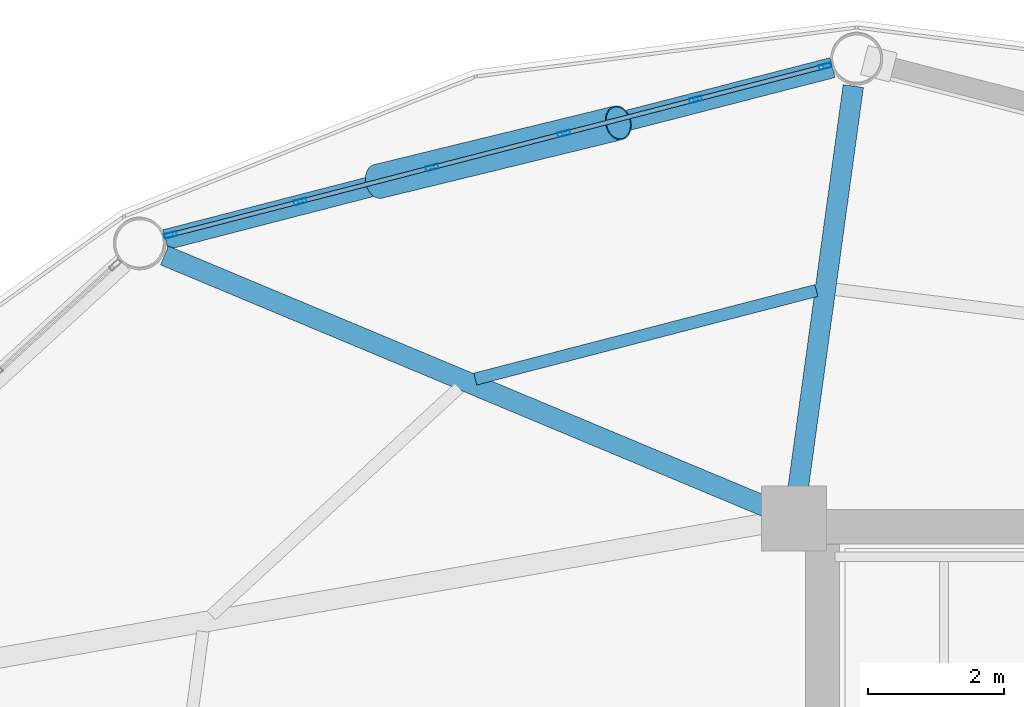
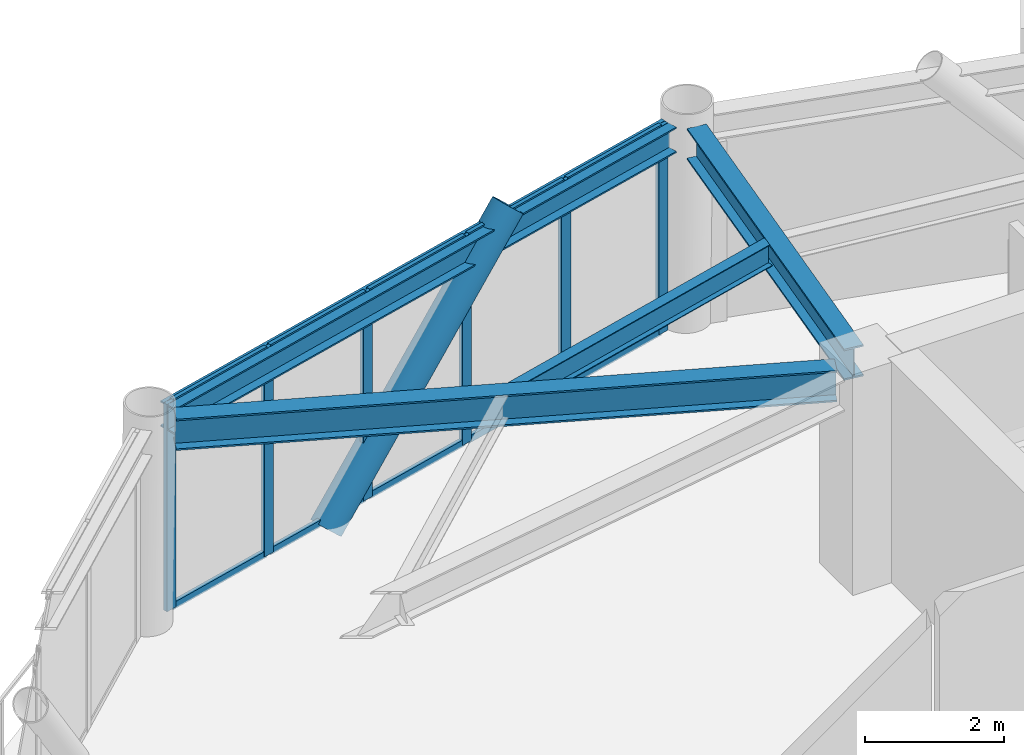
# One storey, part 16 of 25: 17 members, 4 beams, 1 element without a shape of its own.
"""IFC4 building model written with IfcOpenShell, lengths in metres."""

from ifc_helpers import new_model, si_unit, direction, frame, origin, origin_2d, place, context, subcontext, project, spatial, hollow_rectangle, hollow_circle, i_section, extrude, material, layer, layer_set, material_profile, profile_set, type_object, element, aggregate, save


model = new_model("IFC4")

# Units and contexts
model_context = context("Model", 3, precision=1e-05, world=origin(), true_north=direction((0.0, 1.0)))
body_context = subcontext(model_context, "Body", "Model", "MODEL_VIEW")
ifc_project = project(units=[si_unit("LENGTHUNIT", "METRE"), si_unit("AREAUNIT", "SQUARE_METRE"), si_unit("VOLUMEUNIT", "CUBIC_METRE"), si_unit("PLANEANGLEUNIT", "RADIAN"), si_unit("MASSUNIT", "GRAM", prefix="KILO")], contexts=[model_context])

# Site, building, storey
site_placement = place(None, origin())
site = spatial("IfcSite", under=ifc_project, at=site_placement, CompositionType="ELEMENT")
building_placement = place(site_placement, origin())
building = spatial("IfcBuilding", under=site, at=building_placement, Name="Varnakorn Sky Granary", CompositionType="ELEMENT")
storey_placement = place(building_placement, frame((0.0, 0.0, 126.60009765625)))
storey = spatial("IfcBuildingStorey", under=building, at=storey_placement, Name="L31", CompositionType="ELEMENT", Elevation=126.60009765625)

# Beams
ifc_material_1 = material(Name="Steel S355JR", Category="steel")
ifc_material_profile_1 = material_profile(ifc_material_1, i_section(OverallWidth=0.300048828125, OverallDepth=0.550048828125, WebThickness=0.014892578125, FlangeThickness=0.029052734375, at=origin_2d()), Name="HE 550 B")
ifc_profile_set_1 = profile_set([ifc_material_profile_1], Name="Steel S355JR")
beam_type_1 = type_object("IfcBeamType", Name="BM-RAD-Z3", PredefinedType="BEAM", material=ifc_profile_set_1)
beam_1_placement = place(storey_placement, frame((-2.36279296875, 13.0361328125, 3.364990234375), z_axis=(0.135888919374, 0.990724079445, 0.0), x_axis=(-0.990724079445, 0.135888919374, 0.0)))
element("IfcBeam", 1, at=beam_1_placement, inside=storey, type_object=beam_type_1, Name="Radial Floor Girder RG04 L31", PredefinedType="BEAM", context=body_context, shape_type="SweptSolid", body=[
    extrude(i_section(OverallWidth=0.300048828125, OverallDepth=0.550048828125, WebThickness=0.014892578125, FlangeThickness=0.029052734375, at=origin_2d()), origin(), (0.0, 0.0, 1.0), 5.982666015625),
])
beam_2_placement = place(storey_placement, frame((-2.8076171875, 12.781982421875, 3.364990234375), z_axis=(-0.922666539789, 0.385598828259, 0.0), x_axis=(-0.385598828259, -0.922666539789, 0.0)))
element("IfcBeam", 2, at=beam_2_placement, inside=storey, type_object=beam_type_1, Name="Radial Floor Girder RG05 L31", PredefinedType="BEAM", context=body_context, shape_type="SweptSolid", body=[
    extrude(i_section(OverallWidth=0.300048828125, OverallDepth=0.550048828125, WebThickness=0.014892578125, FlangeThickness=0.029052734375, at=origin_2d()), origin(), (0.0, 0.0, 1.0), 9.587158203125),
])
ifc_material_profile_2 = material_profile(ifc_material_1, i_section(OverallWidth=0.179931640625, OverallDepth=0.39990234375, WebThickness=0.008544921875, FlangeThickness=0.013427734375, at=origin_2d()), Name="IPE 400")
ifc_profile_set_2 = profile_set([ifc_material_profile_2], Name="Steel S355JR")
beam_type_2 = type_object("IfcBeamType", Name="BM-SEC-Z3", PredefinedType="BEAM", material=ifc_profile_set_2)
beam_3_placement = place(storey_placement, frame((-2.091796875, 15.964599609375, 3.43994140625), z_axis=(-0.967905042565, -0.251316192431, 0.0), x_axis=(0.251316192431, -0.967905042565, 0.0)))
element("IfcBeam", 3, at=beam_3_placement, inside=storey, type_object=beam_type_2, Name="Secondary Floor Chord Beam MSB04 L31", PredefinedType="BEAM", context=body_context, shape_type="SweptSolid", body=[
    extrude(i_section(OverallWidth=0.179931640625, OverallDepth=0.39990234375, WebThickness=0.008544921875, FlangeThickness=0.013427734375, at=origin_2d()), origin(), (0.0, 0.0, 1.0), 5.169189453125),
])
ifc_material_profile_3 = material_profile(ifc_material_1, i_section(OverallWidth=0.300048828125, OverallDepth=0.449951171875, WebThickness=0.013916015625, FlangeThickness=0.02587890625, at=origin_2d()), Name="HE 450 B")
ifc_profile_set_3 = profile_set([ifc_material_profile_3], Name="Steel S355JR")
beam_type_3 = type_object("IfcBeamType", Name="BM-SPD-Z3", PredefinedType="SPANDREL", material=ifc_profile_set_3)
beam_4_placement = place(storey_placement, frame((-1.8544921875, 19.234619140625, 3.414794921875), z_axis=(-0.968301462066, -0.249784464209, 0.0), x_axis=(0.249784464209, -0.968301462066, 0.0)))
element("IfcBeam", 4, at=beam_4_placement, inside=storey, type_object=beam_type_3, Name="Perimeter Spandrel Ring Beam RB04 L31", PredefinedType="SPANDREL", context=body_context, shape_type="SweptSolid", body=[
    extrude(i_section(OverallWidth=0.300048828125, OverallDepth=0.449951171875, WebThickness=0.013916015625, FlangeThickness=0.02587890625, at=origin_2d()), origin(), (0.0, 0.0, 1.0), 10.1025390625),
])

# Curtain wall, members
ifc_material_2 = material(Name="Anodised Bronze Aluminium Alloy 6063-T6", Category="aluminium")
ifc_layer = layer(ifc_material_2, 0.179931640625, Name="Anodised Bronze Aluminium Alloy 6063-T6")
ifc_layer_set = layer_set([ifc_layer], Name="Anodised Bronze Aluminium Alloy 6063-T6")
curtain_wall_type = type_object("IfcCurtainWallType", Name="CW-FRM-2", PredefinedType="USERDEFINED", material=ifc_layer_set)
curtain_wall_placement = place(storey_placement, origin())
curtain_wall = element("IfcCurtainWall", 5, at=curtain_wall_placement, inside=storey, type_object=curtain_wall_type, Name="Unitised Curtain Wall CW4 CW-L31-B04", ObjectType="CURTAIN WALL", PredefinedType="USERDEFINED")
ifc_material_profile_4 = material_profile(ifc_material_2, hollow_rectangle(XDim=0.070068359375, YDim=0.18505859375, WallThickness=0.00390625, at=origin_2d()), Name="ALU MULL 70x185")
ifc_profile_set_4 = profile_set([ifc_material_profile_4], Name="Anodised Bronze Aluminium Alloy 6063-T6")
member_type_1 = type_object("IfcMemberType", Name="CW-FRM-2-MULL", PredefinedType="MULLION", material=ifc_profile_set_4)
member_1_placement = place(storey_placement, frame((-11.56298828125, 16.7802734375, 0.0), z_axis=(0.0, 0.0, 1.0), x_axis=(-0.249579081692, 0.968354419612, 0.0)))
member_1 = element("IfcMember", 6, at=member_1_placement, type_object=member_type_1, Name="CW4 mullion 1", PredefinedType="MULLION", context=body_context, shape_type="SweptSolid", body=[
    extrude(hollow_rectangle(XDim=0.070068359375, YDim=0.18505859375, WallThickness=0.00390625, at=origin_2d()), origin(), (0.0, 0.0, 1.0), 3.639892578125),
])
member_2_placement = place(storey_placement, frame((-9.6630859375, 17.27001953125, 0.0), z_axis=(0.0, 0.0, 1.0), x_axis=(-0.249579081692, 0.968354419612, 0.0)))
member_2 = element("IfcMember", 7, at=member_2_placement, type_object=member_type_1, Name="CW4 mullion 2", PredefinedType="MULLION", context=body_context, shape_type="SweptSolid", body=[
    extrude(hollow_rectangle(XDim=0.070068359375, YDim=0.18505859375, WallThickness=0.00390625, at=origin_2d()), origin(), (0.0, 0.0, 1.0), 3.639892578125),
])
member_3_placement = place(storey_placement, frame((-7.72900390625, 17.7685546875, 0.0), z_axis=(0.0, 0.0, 1.0), x_axis=(-0.249579081692, 0.968354419612, 0.0)))
member_3 = element("IfcMember", 8, at=member_3_placement, type_object=member_type_1, Name="CW4 mullion 3", PredefinedType="MULLION", context=body_context, shape_type="SweptSolid", body=[
    extrude(hollow_rectangle(XDim=0.070068359375, YDim=0.18505859375, WallThickness=0.00390625, at=origin_2d()), origin(), (0.0, 0.0, 1.0), 3.639892578125),
])
member_4_placement = place(storey_placement, frame((-5.794921875, 18.26708984375, 0.0), z_axis=(0.0, 0.0, 1.0), x_axis=(-0.249579081692, 0.968354419612, 0.0)))
member_4 = element("IfcMember", 9, at=member_4_placement, type_object=member_type_1, Name="CW4 mullion 4", PredefinedType="MULLION", context=body_context, shape_type="SweptSolid", body=[
    extrude(hollow_rectangle(XDim=0.070068359375, YDim=0.18505859375, WallThickness=0.00390625, at=origin_2d()), origin(), (0.0, 0.0, 1.0), 3.639892578125),
])
member_5_placement = place(storey_placement, frame((-3.861083984375, 18.765380859375, 0.0), z_axis=(0.0, 0.0, 1.0), x_axis=(-0.249579081692, 0.968354419612, 0.0)))
member_5 = element("IfcMember", 10, at=member_5_placement, type_object=member_type_1, Name="CW4 mullion 5", PredefinedType="MULLION", context=body_context, shape_type="SweptSolid", body=[
    extrude(hollow_rectangle(XDim=0.070068359375, YDim=0.18505859375, WallThickness=0.00390625, at=origin_2d()), origin(), (0.0, 0.0, 1.0), 3.639892578125),
])
member_6_placement = place(storey_placement, frame((-1.9609375, 19.255126953125, 0.0), z_axis=(0.0, 0.0, 1.0), x_axis=(-0.249579081692, 0.968354419612, 0.0)))
member_6 = element("IfcMember", 11, at=member_6_placement, type_object=member_type_1, Name="CW4 mullion 6", PredefinedType="MULLION", context=body_context, shape_type="SweptSolid", body=[
    extrude(hollow_rectangle(XDim=0.070068359375, YDim=0.18505859375, WallThickness=0.00390625, at=origin_2d()), origin(), (0.0, 0.0, 1.0), 3.639892578125),
])
ifc_material_profile_5 = material_profile(ifc_material_2, hollow_rectangle(XDim=0.06494140625, YDim=0.1201171875, WallThickness=0.00341796875, at=origin_2d()), Name="ALU TRAN 65x120")
ifc_profile_set_5 = profile_set([ifc_material_profile_5], Name="Anodised Bronze Aluminium Alloy 6063-T6")
member_type_2 = type_object("IfcMemberType", Name="CW-FRM-2-TRAN", PredefinedType="USERDEFINED", material=ifc_profile_set_5)
member_7_placement = place(storey_placement, frame((-11.529296875, 16.7890625, 0.032470703125), z_axis=(0.968371905765, 0.249511226452, 0.0), x_axis=(-0.249511226452, 0.968371905765, 0.0)))
member_7 = element("IfcMember", 12, at=member_7_placement, type_object=member_type_2, Name="CW4 transom 1.1", ObjectType="TRANSOM", PredefinedType="USERDEFINED", context=body_context, shape_type="SweptSolid", body=[
    extrude(hollow_rectangle(XDim=0.06494140625, YDim=0.1201171875, WallThickness=0.00341796875, at=origin_2d()), origin(), (0.0, 0.0, 1.0), 1.892333984375),
])
member_8_placement = place(storey_placement, frame((-11.529296875, 16.7890625, 3.607421875), z_axis=(0.968371905765, 0.249511226452, 0.0), x_axis=(-0.249511226452, 0.968371905765, 0.0)))
member_8 = element("IfcMember", 13, at=member_8_placement, type_object=member_type_2, Name="CW4 transom 1.2", ObjectType="TRANSOM", PredefinedType="USERDEFINED", context=body_context, shape_type="SweptSolid", body=[
    extrude(hollow_rectangle(XDim=0.06494140625, YDim=0.1201171875, WallThickness=0.00341796875, at=origin_2d()), origin(), (0.0, 0.0, 1.0), 1.892333984375),
])
member_9_placement = place(storey_placement, frame((-9.629150390625, 17.27880859375, 0.032470703125), z_axis=(0.968358349316, 0.249563834138, 0.0), x_axis=(-0.249563834138, 0.968358349316, 0.0)))
member_9 = element("IfcMember", 14, at=member_9_placement, type_object=member_type_2, Name="CW4 transom 2.1", ObjectType="TRANSOM", PredefinedType="USERDEFINED", context=body_context, shape_type="SweptSolid", body=[
    extrude(hollow_rectangle(XDim=0.06494140625, YDim=0.1201171875, WallThickness=0.00341796875, at=origin_2d()), origin(), (0.0, 0.0, 1.0), 1.92724609375),
])
member_10_placement = place(storey_placement, frame((-9.629150390625, 17.27880859375, 3.607421875), z_axis=(0.968358349316, 0.249563834138, 0.0), x_axis=(-0.249563834138, 0.968358349316, 0.0)))
member_10 = element("IfcMember", 15, at=member_10_placement, type_object=member_type_2, Name="CW4 transom 2.2", ObjectType="TRANSOM", PredefinedType="USERDEFINED", context=body_context, shape_type="SweptSolid", body=[
    extrude(hollow_rectangle(XDim=0.06494140625, YDim=0.1201171875, WallThickness=0.00341796875, at=origin_2d()), origin(), (0.0, 0.0, 1.0), 1.92724609375),
])
member_11_placement = place(storey_placement, frame((-7.695068359375, 17.77734375, 0.032470703125), z_axis=(0.968358349316, 0.249563834138, 0.0), x_axis=(-0.249563834138, 0.968358349316, 0.0)))
member_11 = element("IfcMember", 16, at=member_11_placement, type_object=member_type_2, Name="CW4 transom 3.1", ObjectType="TRANSOM", PredefinedType="USERDEFINED", context=body_context, shape_type="SweptSolid", body=[
    extrude(hollow_rectangle(XDim=0.06494140625, YDim=0.1201171875, WallThickness=0.00341796875, at=origin_2d()), origin(), (0.0, 0.0, 1.0), 1.92724609375),
])
member_12_placement = place(storey_placement, frame((-7.695068359375, 17.77734375, 3.607421875), z_axis=(0.968358349316, 0.249563834138, 0.0), x_axis=(-0.249563834138, 0.968358349316, 0.0)))
member_12 = element("IfcMember", 17, at=member_12_placement, type_object=member_type_2, Name="CW4 transom 3.2", ObjectType="TRANSOM", PredefinedType="USERDEFINED", context=body_context, shape_type="SweptSolid", body=[
    extrude(hollow_rectangle(XDim=0.06494140625, YDim=0.1201171875, WallThickness=0.00341796875, at=origin_2d()), origin(), (0.0, 0.0, 1.0), 1.92724609375),
])
member_13_placement = place(storey_placement, frame((-5.760986328125, 18.275634765625, 0.032470703125), z_axis=(0.968358349316, 0.249563834138, 0.0), x_axis=(-0.249563834138, 0.968358349316, 0.0)))
member_13 = element("IfcMember", 18, at=member_13_placement, type_object=member_type_2, Name="CW4 transom 4.1", ObjectType="TRANSOM", PredefinedType="USERDEFINED", context=body_context, shape_type="SweptSolid", body=[
    extrude(hollow_rectangle(XDim=0.06494140625, YDim=0.1201171875, WallThickness=0.00341796875, at=origin_2d()), origin(), (0.0, 0.0, 1.0), 1.92724609375),
])
member_14_placement = place(storey_placement, frame((-5.760986328125, 18.275634765625, 3.607421875), z_axis=(0.968358349316, 0.249563834138, 0.0), x_axis=(-0.249563834138, 0.968358349316, 0.0)))
member_14 = element("IfcMember", 19, at=member_14_placement, type_object=member_type_2, Name="CW4 transom 4.2", ObjectType="TRANSOM", PredefinedType="USERDEFINED", context=body_context, shape_type="SweptSolid", body=[
    extrude(hollow_rectangle(XDim=0.06494140625, YDim=0.1201171875, WallThickness=0.00341796875, at=origin_2d()), origin(), (0.0, 0.0, 1.0), 1.92724609375),
])
member_15_placement = place(storey_placement, frame((-3.8271484375, 18.774169921875, 0.032470703125), z_axis=(0.968363872442, 0.249542402306, 0.0), x_axis=(-0.249542402306, 0.968363872442, 0.0)))
member_15 = element("IfcMember", 20, at=member_15_placement, type_object=member_type_2, Name="CW4 transom 5.1", ObjectType="TRANSOM", PredefinedType="USERDEFINED", context=body_context, shape_type="SweptSolid", body=[
    extrude(hollow_rectangle(XDim=0.06494140625, YDim=0.1201171875, WallThickness=0.00341796875, at=origin_2d()), origin(), (0.0, 0.0, 1.0), 1.89208984375),
])
member_16_placement = place(storey_placement, frame((-3.8271484375, 18.774169921875, 3.607421875), z_axis=(0.968363872442, 0.249542402306, 0.0), x_axis=(-0.249542402306, 0.968363872442, 0.0)))
member_16 = element("IfcMember", 21, at=member_16_placement, type_object=member_type_2, Name="CW4 transom 5.2", ObjectType="TRANSOM", PredefinedType="USERDEFINED", context=body_context, shape_type="SweptSolid", body=[
    extrude(hollow_rectangle(XDim=0.06494140625, YDim=0.1201171875, WallThickness=0.00341796875, at=origin_2d()), origin(), (0.0, 0.0, 1.0), 1.89208984375),
])
aggregate(curtain_wall, [member_1, member_2, member_3, member_4, member_5, member_6, member_7, member_8, member_9, member_10, member_11, member_12, member_13, member_14, member_15, member_16])

# Member
ifc_material_3 = material(Name="Steel S460M", Category="steel")
ifc_material_profile_6 = material_profile(ifc_material_3, hollow_circle(Radius=0.25390625, WallThickness=0.01806640625, at=origin_2d()), Name="CHS 508x18")
ifc_profile_set_6 = profile_set([ifc_material_profile_6], Name="Steel S460M")
member_type_3 = type_object("IfcMemberType", Name="MB-DIAG-T2", PredefinedType="BRACE", material=ifc_profile_set_6)
member_17_placement = place(storey_placement, frame((-8.51611328125, 17.565673828125, -0.130126953125), z_axis=(0.659335647816, 0.160831423458, 0.734445203367), x_axis=(-0.23698100599, 0.971514283374, 0.0)))
element("IfcMember", 22, at=member_17_placement, inside=storey, type_object=member_type_3, Name="Perimeter CHS Diagrid Brace DG04 L31", PredefinedType="BRACE", context=body_context, shape_type="SweptSolid", body=[
    extrude(hollow_circle(Radius=0.25390625, WallThickness=0.01806640625, at=origin_2d()), origin(), (0.0, 0.0, 1.0), 5.337158203125),
])

save(model, "model.ifc")
